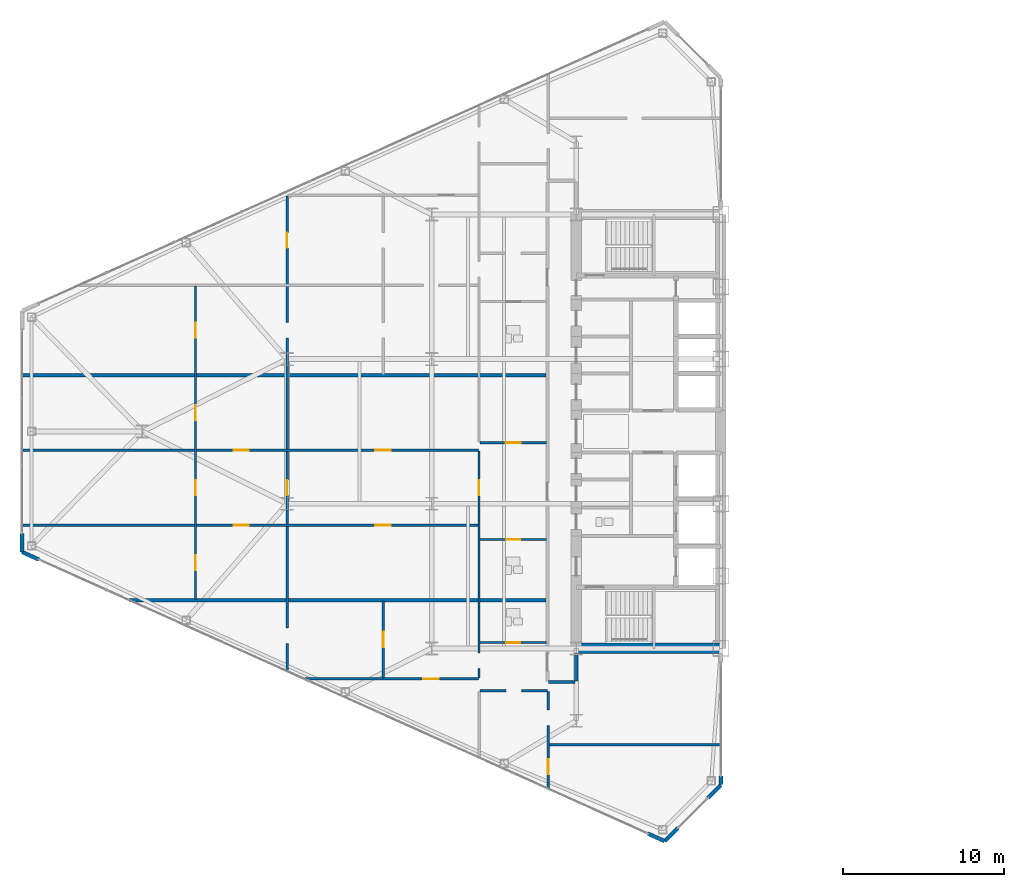
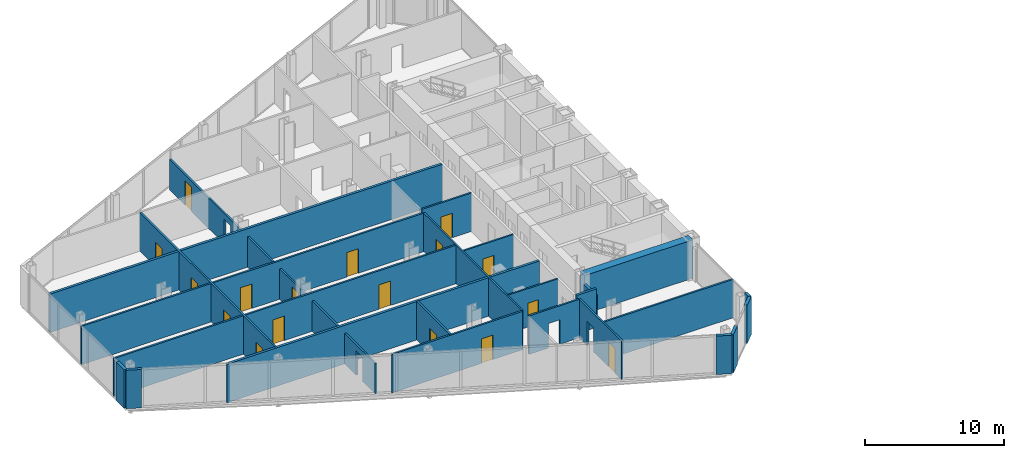
# One storey, part 19 of 27: 24 walls, 17 doors, 22 openings.
"""IFC4 building model written with IfcOpenShell, lengths in metres."""

from ifc_helpers import new_model, si_unit, direction, frame, frame_2d, origin, place, context, subcontext, project, spatial, rectangle, extrude, source, transform, mapped, material, layer, layer_set, type_object, type_shapes, element, fill, save


model = new_model("IFC4")

# Units and contexts
model_context = context("Model", 3, precision=1e-05, world=origin(), true_north=direction((0.0, 1.0)))
body_context = subcontext(model_context, "Body", "Model", "MODEL_VIEW")
ifc_project = project(units=[si_unit("LENGTHUNIT", "METRE"), si_unit("AREAUNIT", "SQUARE_METRE"), si_unit("VOLUMEUNIT", "CUBIC_METRE"), si_unit("PLANEANGLEUNIT", "RADIAN"), si_unit("MASSUNIT", "GRAM", prefix="KILO")], contexts=[model_context])

# Site, building, storey
site_placement = place(None, origin())
site = spatial("IfcSite", under=ifc_project, at=site_placement, CompositionType="ELEMENT")
building_placement = place(site_placement, origin())
building = spatial("IfcBuilding", under=site, at=building_placement, Name="Seokmaru Belvedere", CompositionType="ELEMENT")
storey_placement = place(building_placement, frame((0.0, 0.0, 103.199951171875)))
storey = spatial("IfcBuildingStorey", under=building, at=storey_placement, Name="L27", CompositionType="ELEMENT", Elevation=103.199951171875)

# Wall
ifc_material_1 = material(Name="Fire-Rated Gypsum Shaftwall")
ifc_layer_1 = layer(ifc_material_1, 0.14990234375)
ifc_layer_set_1 = layer_set([ifc_layer_1], Name="Fire-Rated Gypsum Shaftwall")
wall_type_1 = type_object("IfcWallType", Name="Apartment Fire-Acoustic Room Partition 150", PredefinedType="PARTITIONING", material=ifc_layer_set_1)
wall_1_placement = place(storey_placement, frame((-38.199951171875, -19.5, 0.0), z_axis=(0.0, 0.0, 1.0), x_axis=(1.0, 0.0, 0.0)))
element("IfcWall", 1, at=wall_1_placement, inside=storey, type_object=wall_type_1, Name="L27 Interior Partition 001", PredefinedType="PARTITIONING", context=body_context, shape_type="SweptSolid", body=[
    extrude(rectangle(XDim=10.73486328125, YDim=0.14990234375, at=frame_2d((5.367431640625, 0.0))), origin(), (0.0, 0.0, 1.0), 3.380126953125),
])

# Wall, opening
wall_2_placement = place(storey_placement, frame((-42.5, -16.139892578125, 0.0), z_axis=(0.0, 0.0, 1.0), x_axis=(1.0, 0.0, 0.0)))
wall_2 = element("IfcWall", 2, at=wall_2_placement, inside=storey, type_object=wall_type_1, Name="L27 Interior Partition 002", PredefinedType="PARTITIONING", context=body_context, shape_type="SweptSolid", body=[
    extrude(rectangle(XDim=4.199951171875, YDim=0.14990234375, at=frame_2d((2.10009765625, 0.0))), origin(), (0.0, 0.0, 1.0), 3.380126953125),
])
opening_1_placement = place(wall_2_placement, frame((1.625, 0.0, 0.0)))
element("IfcOpeningElement", 3, at=opening_1_placement, cuts=wall_2, Name="L27 Cased Opening 003", PredefinedType="OPENING", context=body_context, shape_type="SweptSolid", body=[
    extrude(rectangle(XDim=0.949951171875, YDim=2.14990234375, at=frame_2d((0.47509765625, 1.074951171875))), frame((0.0, 0.0849609375, 0.0), z_axis=(0.0, -1.0, 0.0), x_axis=(1.0, 0.0, 0.0)), (0.0, 0.0, 1.0), 0.169921875),
])

# Wall, opening, door
wall_3_placement = place(storey_placement, frame((-53.47705078125, -15.39990234375, 0.0), z_axis=(0.0, 0.0, 1.0), x_axis=(1.0, 0.0, 0.0)))
wall_3 = element("IfcWall", 4, at=wall_3_placement, inside=storey, type_object=wall_type_1, Name="L27 Interior Partition 005", PredefinedType="PARTITIONING", context=body_context, shape_type="SweptSolid", body=[
    extrude(rectangle(XDim=10.876953125, YDim=0.14990234375, at=frame_2d((5.4384765625, 0.0))), origin(), (0.0, 0.0, 1.0), 3.380126953125),
])
opening_2_placement = place(wall_3_placement, frame((7.464599609375, 0.0, 0.0)))
opening_2 = element("IfcOpeningElement", 5, at=opening_2_placement, cuts=wall_3, Name="Opening D05", PredefinedType="OPENING", context=body_context, shape_type="SweptSolid", body=[
    extrude(rectangle(XDim=0.949951171875, YDim=2.14990234375, at=frame_2d((0.47509765625, 1.074951171875))), frame((0.0, 0.0849609375, 0.0), z_axis=(0.0, -1.0, 0.0), x_axis=(1.0, 0.0, 0.0)), (0.0, 0.0, 1.0), 0.169921875),
])
ifc_material_2 = material(Name="Engineered White Oak Timber", Category="wood")
door_type_1 = type_object("IfcDoorType", Name="Apartment Interior Fire-Rated Oak Door 950x2150", OperationType="NOTDEFINED", PredefinedType="DOOR", material=ifc_material_2)
shared_shape_1 = source(origin(), body_context, "Body", "SweptSolid", [
    extrude(rectangle(XDim=0.949951171875, YDim=2.14990234375, at=frame_2d((0.47509765625, 1.074951171875))), frame((0.0, 0.02490234375, 0.0), z_axis=(0.0, -1.0, 0.0), x_axis=(1.0, 0.0, 0.0)), (0.0, 0.0, 1.0), 0.050048828125),
])
type_shapes(door_type_1, [shared_shape_1])
door_1_placement = place(opening_2_placement, origin())
door_1 = element("IfcDoor", 6, at=door_1_placement, inside=storey, type_object=door_type_1, Name="L27 Interior Door 005", OperationType="SINGLE_SWING_LEFT", OverallHeight=2.14990234375, OverallWidth=0.949951171875, PredefinedType="DOOR", context=body_context, shape_type="MappedRepresentation", body=[
    mapped(shared_shape_1, transform((0.0, 0.0, 0.0), scale=1.0)),
])
fill(opening_2, door_1)

# Wall, openings, doors
wall_4_placement = place(storey_placement, frame((-71.034912109375, -5.830078125, 0.0), z_axis=(0.0, 0.0, 1.0), x_axis=(1.0, 0.0, 0.0)))
wall_4 = element("IfcWall", 7, at=wall_4_placement, inside=storey, type_object=wall_type_1, Name="L27 Interior Partition 012", PredefinedType="PARTITIONING", context=body_context, shape_type="SweptSolid", body=[
    extrude(rectangle(XDim=28.434814453125, YDim=0.14990234375, at=frame_2d((14.21728515625, 0.0))), origin(), (0.0, 0.0, 1.0), 3.380126953125),
])
opening_3_placement = place(wall_4_placement, frame((22.034912109375, 0.0, 0.0)))
opening_3 = element("IfcOpeningElement", 8, at=opening_3_placement, cuts=wall_4, Name="Opening D05", PredefinedType="OPENING", context=body_context, shape_type="SweptSolid", body=[
    extrude(rectangle(XDim=0.949951171875, YDim=2.14990234375, at=frame_2d((0.47509765625, 1.074951171875))), frame((0.0, 0.0849609375, 0.0), z_axis=(0.0, -1.0, 0.0), x_axis=(1.0, 0.0, 0.0)), (0.0, 0.0, 1.0), 0.169921875),
])
opening_4_placement = place(wall_4_placement, frame((13.2099609375, 0.0, 0.0)))
opening_4 = element("IfcOpeningElement", 9, at=opening_4_placement, cuts=wall_4, Name="Opening D05", PredefinedType="OPENING", context=body_context, shape_type="SweptSolid", body=[
    extrude(rectangle(XDim=0.949951171875, YDim=2.14990234375, at=frame_2d((0.47509765625, 1.074951171875))), frame((0.0, 0.0849609375, 0.0), z_axis=(0.0, -1.0, 0.0), x_axis=(1.0, 0.0, 0.0)), (0.0, 0.0, 1.0), 0.169921875),
])
door_2_placement = place(opening_3_placement, origin())
door_2 = element("IfcDoor", 10, at=door_2_placement, inside=storey, type_object=door_type_1, Name="L27 Interior Door 015", OperationType="SINGLE_SWING_RIGHT", OverallHeight=2.14990234375, OverallWidth=0.949951171875, PredefinedType="DOOR", context=body_context, shape_type="MappedRepresentation", body=[
    mapped(shared_shape_1, transform((0.0, 0.0, 0.0), scale=1.0)),
])
fill(opening_3, door_2)
door_3_placement = place(opening_4_placement, origin())
door_3 = element("IfcDoor", 11, at=door_3_placement, inside=storey, type_object=door_type_1, Name="L27 Interior Door 017", OperationType="SINGLE_SWING_LEFT", OverallHeight=2.14990234375, OverallWidth=0.949951171875, PredefinedType="DOOR", context=body_context, shape_type="MappedRepresentation", body=[
    mapped(shared_shape_1, transform((0.0, 0.0, 0.0), scale=1.0)),
])
fill(opening_4, door_3)

wall_5_placement = place(storey_placement, frame((-71.034912109375, -1.169921875, 0.0), z_axis=(0.0, 0.0, 1.0), x_axis=(1.0, 0.0, 0.0)))
wall_5 = element("IfcWall", 12, at=wall_5_placement, inside=storey, type_object=wall_type_1, Name="L27 Interior Partition 015", PredefinedType="PARTITIONING", context=body_context, shape_type="SweptSolid", body=[
    extrude(rectangle(XDim=28.434814453125, YDim=0.14990234375, at=frame_2d((14.21728515625, 0.0))), origin(), (0.0, 0.0, 1.0), 3.380126953125),
])
opening_5_placement = place(wall_5_placement, frame((22.034912109375, 0.0, 0.0)))
opening_5 = element("IfcOpeningElement", 13, at=opening_5_placement, cuts=wall_5, Name="Opening D05", PredefinedType="OPENING", context=body_context, shape_type="SweptSolid", body=[
    extrude(rectangle(XDim=0.949951171875, YDim=2.14990234375, at=frame_2d((0.47509765625, 1.074951171875))), frame((0.0, 0.0849609375, 0.0), z_axis=(0.0, -1.0, 0.0), x_axis=(1.0, 0.0, 0.0)), (0.0, 0.0, 1.0), 0.169921875),
])
opening_6_placement = place(wall_5_placement, frame((13.2099609375, 0.0, 0.0)))
opening_6 = element("IfcOpeningElement", 14, at=opening_6_placement, cuts=wall_5, Name="Opening D05", PredefinedType="OPENING", context=body_context, shape_type="SweptSolid", body=[
    extrude(rectangle(XDim=0.949951171875, YDim=2.14990234375, at=frame_2d((0.47509765625, 1.074951171875))), frame((0.0, 0.0849609375, 0.0), z_axis=(0.0, -1.0, 0.0), x_axis=(1.0, 0.0, 0.0)), (0.0, 0.0, 1.0), 0.169921875),
])
door_4_placement = place(opening_5_placement, origin())
door_4 = element("IfcDoor", 15, at=door_4_placement, inside=storey, type_object=door_type_1, Name="L27 Interior Door 016", OperationType="SINGLE_SWING_LEFT", OverallHeight=2.14990234375, OverallWidth=0.949951171875, PredefinedType="DOOR", context=body_context, shape_type="MappedRepresentation", body=[
    mapped(shared_shape_1, transform((0.0, 0.0, 0.0), scale=1.0)),
])
fill(opening_5, door_4)
door_5_placement = place(opening_6_placement, origin())
door_5 = element("IfcDoor", 16, at=door_5_placement, inside=storey, type_object=door_type_1, Name="L27 Interior Door 020", OperationType="SINGLE_SWING_LEFT", OverallHeight=2.14990234375, OverallWidth=0.949951171875, PredefinedType="DOOR", context=body_context, shape_type="MappedRepresentation", body=[
    mapped(shared_shape_1, transform((0.0, 0.0, 0.0), scale=1.0)),
])
fill(opening_6, door_5)

# Wall, opening, door
wall_6_placement = place(storey_placement, frame((-42.5, -0.699951171875, 0.0), z_axis=(0.0, 0.0, 1.0), x_axis=(1.0, 0.0, 0.0)))
wall_6 = element("IfcWall", 17, at=wall_6_placement, inside=storey, type_object=wall_type_1, Name="L27 Interior Partition 016", PredefinedType="PARTITIONING", context=body_context, shape_type="SweptSolid", body=[
    extrude(rectangle(XDim=4.14990234375, YDim=0.14990234375, at=frame_2d((2.074951171875, 0.0))), origin(), (0.0, 0.0, 1.0), 3.380126953125),
])
opening_7_placement = place(wall_6_placement, frame((1.60009765625, 0.0, 0.0)))
opening_7 = element("IfcOpeningElement", 18, at=opening_7_placement, cuts=wall_6, Name="Opening D05", PredefinedType="OPENING", context=body_context, shape_type="SweptSolid", body=[
    extrude(rectangle(XDim=0.949951171875, YDim=2.14990234375, at=frame_2d((0.47509765625, 1.074951171875))), frame((0.0, 0.0849609375, 0.0), z_axis=(0.0, -1.0, 0.0), x_axis=(1.0, 0.0, 0.0)), (0.0, 0.0, 1.0), 0.169921875),
])
door_6_placement = place(opening_7_placement, origin())
door_6 = element("IfcDoor", 19, at=door_6_placement, inside=storey, type_object=door_type_1, Name="L27 Interior Door 012", OperationType="SINGLE_SWING_LEFT", OverallHeight=2.14990234375, OverallWidth=0.949951171875, PredefinedType="DOOR", context=body_context, shape_type="MappedRepresentation", body=[
    mapped(shared_shape_1, transform((0.0, 0.0, 0.0), scale=1.0)),
])
fill(opening_7, door_6)

# Wall, openings, doors
wall_7_placement = place(storey_placement, frame((-60.199951171875, -10.449951171875, 0.0), z_axis=(0.0, 0.0, 1.0), x_axis=(0.0, 1.0, 0.0)))
wall_7 = element("IfcWall", 20, at=wall_7_placement, inside=storey, type_object=wall_type_1, Name="L27 Interior Partition 033", PredefinedType="PARTITIONING", context=body_context, shape_type="SweptSolid", body=[
    extrude(rectangle(XDim=19.5009765625, YDim=0.14990234375, at=frame_2d((9.75048828125, 0.0))), origin(), (0.0, 0.0, 1.0), 3.380126953125),
])
opening_8_placement = place(wall_7_placement, frame((1.808349609375, 0.0, 0.0)))
opening_8 = element("IfcOpeningElement", 21, at=opening_8_placement, cuts=wall_7, Name="Opening D05", PredefinedType="OPENING", context=body_context, shape_type="SweptSolid", body=[
    extrude(rectangle(XDim=0.949951171875, YDim=2.14990234375, at=frame_2d((0.47509765625, 1.074951171875))), frame((0.0, 0.0849609375, 0.0), z_axis=(0.0, -1.0, 0.0), x_axis=(1.0, 0.0, 0.0)), (0.0, 0.0, 1.0), 0.169921875),
])
opening_9_placement = place(wall_7_placement, frame((6.47509765625, 0.0, 0.0)))
opening_9 = element("IfcOpeningElement", 22, at=opening_9_placement, cuts=wall_7, Name="Opening D05", PredefinedType="OPENING", context=body_context, shape_type="SweptSolid", body=[
    extrude(rectangle(XDim=0.949951171875, YDim=2.14990234375, at=frame_2d((0.47509765625, 1.074951171875))), frame((0.0, 0.0849609375, 0.0), z_axis=(0.0, -1.0, 0.0), x_axis=(1.0, 0.0, 0.0)), (0.0, 0.0, 1.0), 0.169921875),
])
opening_10_placement = place(wall_7_placement, frame((11.1416015625, 0.0, 0.0)))
opening_10 = element("IfcOpeningElement", 23, at=opening_10_placement, cuts=wall_7, Name="Opening D05", PredefinedType="OPENING", context=body_context, shape_type="SweptSolid", body=[
    extrude(rectangle(XDim=0.949951171875, YDim=2.14990234375, at=frame_2d((0.47509765625, 1.074951171875))), frame((0.0, 0.0849609375, 0.0), z_axis=(0.0, -1.0, 0.0), x_axis=(1.0, 0.0, 0.0)), (0.0, 0.0, 1.0), 0.169921875),
])
opening_11_placement = place(wall_7_placement, frame((16.275390625, 0.0, 0.0)))
opening_11 = element("IfcOpeningElement", 24, at=opening_11_placement, cuts=wall_7, Name="Opening D05", PredefinedType="OPENING", context=body_context, shape_type="SweptSolid", body=[
    extrude(rectangle(XDim=0.949951171875, YDim=2.14990234375, at=frame_2d((0.47509765625, 1.074951171875))), frame((0.0, 0.0849609375, 0.0), z_axis=(0.0, -1.0, 0.0), x_axis=(1.0, 0.0, 0.0)), (0.0, 0.0, 1.0), 0.169921875),
])
door_7_placement = place(opening_8_placement, origin())
door_7 = element("IfcDoor", 25, at=door_7_placement, inside=storey, type_object=door_type_1, Name="L27 Interior Door 018", OperationType="SINGLE_SWING_RIGHT", OverallHeight=2.14990234375, OverallWidth=0.949951171875, PredefinedType="DOOR", context=body_context, shape_type="MappedRepresentation", body=[
    mapped(shared_shape_1, transform((0.0, 0.0, 0.0), scale=1.0)),
])
fill(opening_8, door_7)
door_8_placement = place(opening_9_placement, origin())
door_8 = element("IfcDoor", 26, at=door_8_placement, inside=storey, type_object=door_type_1, Name="L27 Interior Door 019", OperationType="SINGLE_SWING_RIGHT", OverallHeight=2.14990234375, OverallWidth=0.949951171875, PredefinedType="DOOR", context=body_context, shape_type="MappedRepresentation", body=[
    mapped(shared_shape_1, transform((0.0, 0.0, 0.0), scale=1.0)),
])
fill(opening_9, door_8)
door_9_placement = place(opening_10_placement, origin())
door_9 = element("IfcDoor", 27, at=door_9_placement, inside=storey, type_object=door_type_1, Name="L27 Interior Door 021", OperationType="SINGLE_SWING_RIGHT", OverallHeight=2.14990234375, OverallWidth=0.949951171875, PredefinedType="DOOR", context=body_context, shape_type="MappedRepresentation", body=[
    mapped(shared_shape_1, transform((0.0, 0.0, 0.0), scale=1.0)),
])
fill(opening_10, door_9)
door_10_placement = place(opening_11_placement, origin())
door_10 = element("IfcDoor", 28, at=door_10_placement, inside=storey, type_object=door_type_1, Name="L27 Interior Door 032", OperationType="SINGLE_SWING_RIGHT", OverallHeight=2.14990234375, OverallWidth=0.949951171875, PredefinedType="DOOR", context=body_context, shape_type="MappedRepresentation", body=[
    mapped(shared_shape_1, transform((0.0, 0.0, 0.0), scale=1.0)),
])
fill(opening_11, door_10)

wall_8_placement = place(storey_placement, frame((-54.5, -14.9599609375, 0.0), z_axis=(0.0, 0.0, 1.0), x_axis=(0.0, 1.0, 0.0)))
wall_8 = element("IfcWall", 29, at=wall_8_placement, inside=storey, type_object=wall_type_1, Name="L27 Interior Partition 034", PredefinedType="PARTITIONING", context=body_context, shape_type="SweptSolid", body=[
    extrude(rectangle(XDim=29.612060546875, YDim=0.14990234375, at=frame_2d((14.80615234375, 0.0))), origin(), (0.0, 0.0, 1.0), 2.679931640625),
])
opening_12_placement = place(wall_8_placement, frame((1.7724609375, 0.0, 0.0)))
element("IfcOpeningElement", 30, at=opening_12_placement, cuts=wall_8, Name="L27 Cased Opening 009", PredefinedType="OPENING", context=body_context, shape_type="SweptSolid", body=[
    extrude(rectangle(XDim=0.949951171875, YDim=2.14990234375, at=frame_2d((0.47509765625, 1.074951171875))), frame((0.0, 0.0849609375, 0.0), z_axis=(0.0, -1.0, 0.0), x_axis=(1.0, 0.0, 0.0)), (0.0, 0.0, 1.0), 0.169921875),
])
opening_13_placement = place(wall_8_placement, frame((10.985107421875, 0.0, 0.0)))
opening_13 = element("IfcOpeningElement", 31, at=opening_13_placement, cuts=wall_8, Name="Opening D05", PredefinedType="OPENING", context=body_context, shape_type="SweptSolid", body=[
    extrude(rectangle(XDim=0.949951171875, YDim=2.14990234375, at=frame_2d((0.47509765625, 1.074951171875))), frame((0.0, 0.0849609375, 0.0), z_axis=(0.0, -1.0, 0.0), x_axis=(1.0, 0.0, 0.0)), (0.0, 0.0, 1.0), 0.169921875),
])
opening_14_placement = place(wall_8_placement, frame((26.38623046875, 0.0, 0.0)))
opening_14 = element("IfcOpeningElement", 32, at=opening_14_placement, cuts=wall_8, Name="Opening D05", PredefinedType="OPENING", context=body_context, shape_type="SweptSolid", body=[
    extrude(rectangle(XDim=0.949951171875, YDim=2.14990234375, at=frame_2d((0.47509765625, 1.074951171875))), frame((0.0, 0.0849609375, 0.0), z_axis=(0.0, -1.0, 0.0), x_axis=(1.0, 0.0, 0.0)), (0.0, 0.0, 1.0), 0.169921875),
])
opening_15_placement = place(wall_8_placement, frame((20.785400390625, 0.0, 0.0)))
element("IfcOpeningElement", 33, at=opening_15_placement, cuts=wall_8, Name="L27 Cased Opening 031", PredefinedType="OPENING", context=body_context, shape_type="SweptSolid", body=[
    extrude(rectangle(XDim=0.949951171875, YDim=2.14990234375, at=frame_2d((0.47509765625, 1.074951171875))), frame((0.0, 0.0849609375, 0.0), z_axis=(0.0, -1.0, 0.0), x_axis=(1.0, 0.0, 0.0)), (0.0, 0.0, 1.0), 0.169921875),
])
door_11_placement = place(opening_13_placement, origin())
door_11 = element("IfcDoor", 34, at=door_11_placement, inside=storey, type_object=door_type_1, Name="L27 Interior Door 014", OperationType="SINGLE_SWING_LEFT", OverallHeight=2.14990234375, OverallWidth=0.949951171875, PredefinedType="DOOR", context=body_context, shape_type="MappedRepresentation", body=[
    mapped(shared_shape_1, transform((0.0, 0.0, 0.0), scale=1.0)),
])
fill(opening_13, door_11)
door_12_placement = place(opening_14_placement, origin())
door_12 = element("IfcDoor", 35, at=door_12_placement, inside=storey, type_object=door_type_1, Name="L27 Interior Door 029", OperationType="SINGLE_SWING_RIGHT", OverallHeight=2.14990234375, OverallWidth=0.949951171875, PredefinedType="DOOR", context=body_context, shape_type="MappedRepresentation", body=[
    mapped(shared_shape_1, transform((0.0, 0.0, 0.0), scale=1.0)),
])
fill(opening_14, door_12)

# Wall, opening, door
wall_9_placement = place(storey_placement, frame((-48.52001953125, -15.35107421875, 0.0), z_axis=(0.0, 0.0, 1.0), x_axis=(0.0, 1.0, 0.0)))
wall_9 = element("IfcWall", 36, at=wall_9_placement, inside=storey, type_object=wall_type_1, Name="L27 Interior Partition 035", PredefinedType="PARTITIONING", context=body_context, shape_type="SweptSolid", body=[
    extrude(rectangle(XDim=4.801025390625, YDim=0.14990234375, at=frame_2d((2.400390625, 0.0))), origin(), (0.0, 0.0, 1.0), 3.380126953125),
])
opening_16_placement = place(wall_9_placement, frame((1.92529296875, 0.0, 0.0)))
opening_16 = element("IfcOpeningElement", 37, at=opening_16_placement, cuts=wall_9, Name="Opening D05", PredefinedType="OPENING", context=body_context, shape_type="SweptSolid", body=[
    extrude(rectangle(XDim=0.949951171875, YDim=2.14990234375, at=frame_2d((0.47509765625, 1.074951171875))), frame((0.0, 0.0849609375, 0.0), z_axis=(0.0, -1.0, 0.0), x_axis=(1.0, 0.0, 0.0)), (0.0, 0.0, 1.0), 0.169921875),
])
door_13_placement = place(opening_16_placement, origin())
door_13 = element("IfcDoor", 38, at=door_13_placement, inside=storey, type_object=door_type_1, Name="L27 Interior Door 006", OperationType="SINGLE_SWING_RIGHT", OverallHeight=2.14990234375, OverallWidth=0.949951171875, PredefinedType="DOOR", context=body_context, shape_type="MappedRepresentation", body=[
    mapped(shared_shape_1, transform((0.0, 0.0, 0.0), scale=1.0)),
])
fill(opening_16, door_13)

# Wall, openings, door
wall_10_placement = place(storey_placement, frame((-38.25, -22.27294921875, 0.0), z_axis=(0.0, 0.0, 1.0), x_axis=(0.0, 1.0, 0.0)))
wall_10 = element("IfcWall", 39, at=wall_10_placement, inside=storey, type_object=wall_type_1, Name="L27 Interior Partition 041", PredefinedType="PARTITIONING", context=body_context, shape_type="SweptSolid", body=[
    extrude(rectangle(XDim=6.077880859375, YDim=0.14990234375, at=frame_2d((3.0390625, 0.0))), origin(), (0.0, 0.0, 1.0), 3.380126953125),
])
opening_17_placement = place(wall_10_placement, frame((0.92919921875, 0.0, 0.0)))
opening_17 = element("IfcOpeningElement", 40, at=opening_17_placement, cuts=wall_10, Name="Opening D05", PredefinedType="OPENING", context=body_context, shape_type="SweptSolid", body=[
    extrude(rectangle(XDim=0.949951171875, YDim=2.14990234375, at=frame_2d((0.47509765625, 1.074951171875))), frame((0.0, 0.0849609375, 0.0), z_axis=(0.0, -1.0, 0.0), x_axis=(1.0, 0.0, 0.0)), (0.0, 0.0, 1.0), 0.169921875),
])
opening_18_placement = place(wall_10_placement, frame((3.9755859375, 0.0, 0.0)))
element("IfcOpeningElement", 41, at=opening_18_placement, cuts=wall_10, Name="L27 Cased Opening 008", PredefinedType="OPENING", context=body_context, shape_type="SweptSolid", body=[
    extrude(rectangle(XDim=0.949951171875, YDim=2.14990234375, at=frame_2d((0.47509765625, 1.074951171875))), frame((0.0, 0.0849609375, 0.0), z_axis=(0.0, -1.0, 0.0), x_axis=(1.0, 0.0, 0.0)), (0.0, 0.0, 1.0), 0.169921875),
])
door_14_placement = place(opening_17_placement, origin())
door_14 = element("IfcDoor", 42, at=door_14_placement, inside=storey, type_object=door_type_1, Name="L27 Interior Door 007", OperationType="SINGLE_SWING_RIGHT", OverallHeight=2.14990234375, OverallWidth=0.949951171875, PredefinedType="DOOR", context=body_context, shape_type="MappedRepresentation", body=[
    mapped(shared_shape_1, transform((0.0, 0.0, 0.0), scale=1.0)),
])
fill(opening_17, door_14)

# Walls
ifc_layer_2 = layer(ifc_material_1, 0.199951171875)
ifc_layer_set_2 = layer_set([ifc_layer_2], Name="Fire-Rated Gypsum Shaftwall")
wall_type_2 = type_object("IfcWallType", Name="Inter-Tenancy Fire Compartment Partition 200", PredefinedType="PARTITIONING", material=ifc_layer_set_2)
wall_11_placement = place(storey_placement, frame((-38.215087890625, -15.60009765625, 0.0), z_axis=(0.0, 0.0, 1.0), x_axis=(1.0, 0.0, 0.0)))
element("IfcWall", 43, at=wall_11_placement, inside=storey, type_object=wall_type_2, Name="L27 Interior Partition 003", PredefinedType="PARTITIONING", context=body_context, shape_type="SweptSolid", body=[
    extrude(rectangle(XDim=1.630126953125, YDim=0.199951171875, at=frame_2d((0.81494140625, 0.0))), origin(), (0.0, 0.0, 1.0), 3.380126953125),
])
wall_12_placement = place(storey_placement, frame((-64.345947265625, -10.5, 0.0), z_axis=(0.0, 0.0, 1.0), x_axis=(1.0, 0.0, 0.0)))
element("IfcWall", 44, at=wall_12_placement, inside=storey, type_object=wall_type_2, Name="L27 Interior Partition 008", PredefinedType="PARTITIONING", context=body_context, shape_type="SweptSolid", body=[
    extrude(rectangle(XDim=25.966064453125, YDim=0.199951171875, at=frame_2d((12.98291015625, 0.0))), origin(), (0.0, 0.0, 1.0), 3.380126953125),
])
wall_13_placement = place(storey_placement, frame((-71.0048828125, 3.5, 0.0), z_axis=(0.0, 0.0, 1.0), x_axis=(1.0, 0.0, 0.0)))
element("IfcWall", 45, at=wall_13_placement, inside=storey, type_object=wall_type_2, Name="L27 Interior Partition 018", PredefinedType="PARTITIONING", context=body_context, shape_type="SweptSolid", body=[
    extrude(rectangle(XDim=32.625, YDim=0.199951171875, at=frame_2d((16.3125, 0.0))), origin(), (0.0, 0.0, 1.0), 3.380126953125),
])
wall_14_placement = place(storey_placement, frame((-36.5, -15.514892578125, 0.0), z_axis=(0.0, 0.0, 1.0), x_axis=(0.0, 1.0, 0.0)))
element("IfcWall", 46, at=wall_14_placement, inside=storey, type_object=wall_type_2, Name="L27 Interior Partition 043", PredefinedType="PARTITIONING", context=body_context, shape_type="SweptSolid", body=[
    extrude(rectangle(XDim=1.684814453125, YDim=0.199951171875, at=frame_2d((0.84228515625, 0.0))), origin(), (0.0, 0.0, 1.0), 2.679931640625),
])
ifc_material_3 = material(Name="Concrete C60 (60 MPa)", Category="concrete")
ifc_layer_3 = layer(ifc_material_3, 0.64990234375)
ifc_layer_set_3 = layer_set([ifc_layer_3], Name="Concrete C60 (60 MPa)")
wall_type_3 = type_object("IfcWallType", Name="Mid-Low Reinforced Concrete Core Wall 650", PredefinedType="SHEAR", material=ifc_layer_set_3)
wall_15_placement = place(storey_placement, frame((-36.5, -13.5, 0.0), z_axis=(0.0, 0.0, 1.0), x_axis=(1.0, 0.0, 0.0)))
element("IfcWall", 47, at=wall_15_placement, inside=storey, type_object=wall_type_3, Name="L27 West South Core Wall", PredefinedType="SHEAR", context=body_context, shape_type="SweptSolid", body=[
    extrude(rectangle(XDim=9.0, YDim=0.64990234375, at=frame_2d((4.5, 0.0))), origin(), (0.0, 0.0, 1.0), 3.380126953125),
])

# Wall, opening, door
ifc_layer_4 = layer(ifc_material_1, 0.1298828125)
ifc_layer_set_4 = layer_set([ifc_layer_4], Name="Fire-Rated Gypsum Shaftwall")
wall_type_4 = type_object("IfcWallType", Name="Moisture-Resistant Fire-Rated Bathroom Partition 130", PredefinedType="PARTITIONING", material=ifc_layer_set_4)
wall_16_placement = place(storey_placement, frame((-42.5, -13.139892578125, 0.0), z_axis=(0.0, 0.0, 1.0), x_axis=(1.0, 0.0, 0.0)))
wall_16 = element("IfcWall", 48, at=wall_16_placement, inside=storey, type_object=wall_type_4, Name="L27 Interior Partition 006", PredefinedType="PARTITIONING", context=body_context, shape_type="SweptSolid", body=[
    extrude(rectangle(XDim=4.14990234375, YDim=0.1298828125, at=frame_2d((2.074951171875, 0.0))), origin(), (0.0, 0.0, 1.0), 3.380126953125),
])
opening_19_placement = place(wall_16_placement, frame((1.635009765625, 0.0, 0.0)))
opening_19 = element("IfcOpeningElement", 49, at=opening_19_placement, cuts=wall_16, Name="Opening D06", PredefinedType="OPENING", context=body_context, shape_type="SweptSolid", body=[
    extrude(rectangle(XDim=0.8798828125, YDim=2.10009765625, at=frame_2d((0.43994140625, 1.050048828125))), frame((0.0, 0.074951171875, 0.0), z_axis=(0.0, -1.0, 0.0), x_axis=(1.0, 0.0, 0.0)), (0.0, 0.0, 1.0), 0.14990234375),
])
door_type_2 = type_object("IfcDoorType", Name="Bathroom and Restroom Fire-Rated Door 880x2100", OperationType="NOTDEFINED", PredefinedType="DOOR", material=ifc_material_2)
shared_shape_2 = source(origin(), body_context, "Body", "SweptSolid", [
    extrude(rectangle(XDim=0.8798828125, YDim=2.10009765625, at=frame_2d((0.43994140625, 1.050048828125))), frame((0.0, 0.02490234375, 0.0), z_axis=(0.0, -1.0, 0.0), x_axis=(1.0, 0.0, 0.0)), (0.0, 0.0, 1.0), 0.050048828125),
])
type_shapes(door_type_2, [shared_shape_2])
door_15_placement = place(opening_19_placement, origin())
door_15 = element("IfcDoor", 50, at=door_15_placement, inside=storey, type_object=door_type_2, Name="L27 Interior Door 002", OperationType="SINGLE_SWING_LEFT", OverallHeight=2.10009765625, OverallWidth=0.8798828125, PredefinedType="DOOR", context=body_context, shape_type="MappedRepresentation", body=[
    mapped(shared_shape_2, transform((0.0, 0.0, 0.0), scale=1.0)),
])
fill(opening_19, door_15)

wall_17_placement = place(storey_placement, frame((-42.5, -6.719970703125, 0.0), z_axis=(0.0, 0.0, 1.0), x_axis=(1.0, 0.0, 0.0)))
wall_17 = element("IfcWall", 51, at=wall_17_placement, inside=storey, type_object=wall_type_4, Name="L27 Interior Partition 010", PredefinedType="PARTITIONING", context=body_context, shape_type="SweptSolid", body=[
    extrude(rectangle(XDim=4.14990234375, YDim=0.1298828125, at=frame_2d((2.074951171875, 0.0))), origin(), (0.0, 0.0, 1.0), 3.380126953125),
])
opening_20_placement = place(wall_17_placement, frame((1.635009765625, 0.0, 0.0)))
opening_20 = element("IfcOpeningElement", 52, at=opening_20_placement, cuts=wall_17, Name="Opening D06", PredefinedType="OPENING", context=body_context, shape_type="SweptSolid", body=[
    extrude(rectangle(XDim=0.8798828125, YDim=2.10009765625, at=frame_2d((0.43994140625, 1.050048828125))), frame((0.0, 0.074951171875, 0.0), z_axis=(0.0, -1.0, 0.0), x_axis=(1.0, 0.0, 0.0)), (0.0, 0.0, 1.0), 0.14990234375),
])
door_16_placement = place(opening_20_placement, origin())
door_16 = element("IfcDoor", 53, at=door_16_placement, inside=storey, type_object=door_type_2, Name="L27 Interior Door 011", OperationType="SINGLE_SWING_LEFT", OverallHeight=2.10009765625, OverallWidth=0.8798828125, PredefinedType="DOOR", context=body_context, shape_type="MappedRepresentation", body=[
    mapped(shared_shape_2, transform((0.0, 0.0, 0.0), scale=1.0)),
])
fill(opening_20, door_16)

# Wall, openings, door
wall_18_placement = place(storey_placement, frame((-42.550048828125, -15.35107421875, 0.0), z_axis=(0.0, 0.0, 1.0), x_axis=(0.0, 1.0, 0.0)))
wall_18 = element("IfcWall", 54, at=wall_18_placement, inside=storey, type_object=wall_type_4, Name="L27 Interior Partition 038", PredefinedType="PARTITIONING", context=body_context, shape_type="SweptSolid", body=[
    extrude(rectangle(XDim=14.134033203125, YDim=0.1298828125, at=frame_2d((7.06689453125, 0.0))), origin(), (0.0, 0.0, 1.0), 3.380126953125),
])
opening_21_placement = place(wall_18_placement, frame((0.602783203125, 0.0, 0.0)))
element("IfcOpeningElement", 55, at=opening_21_placement, cuts=wall_18, Name="L27 Cased Opening 004", PredefinedType="OPENING", context=body_context, shape_type="SweptSolid", body=[
    extrude(rectangle(XDim=0.949951171875, YDim=2.14990234375, at=frame_2d((0.47509765625, 1.074951171875))), frame((0.0, 0.074951171875, 0.0), z_axis=(0.0, -1.0, 0.0), x_axis=(1.0, 0.0, 0.0)), (0.0, 0.0, 1.0), 0.14990234375),
])
opening_22_placement = place(wall_18_placement, frame((11.3759765625, 0.0, 0.0)))
opening_22 = element("IfcOpeningElement", 56, at=opening_22_placement, cuts=wall_18, Name="Opening D05", PredefinedType="OPENING", context=body_context, shape_type="SweptSolid", body=[
    extrude(rectangle(XDim=0.949951171875, YDim=2.14990234375, at=frame_2d((0.47509765625, 1.074951171875))), frame((0.0, 0.074951171875, 0.0), z_axis=(0.0, -1.0, 0.0), x_axis=(1.0, 0.0, 0.0)), (0.0, 0.0, 1.0), 0.14990234375),
])
door_17_placement = place(opening_22_placement, origin())
door_17 = element("IfcDoor", 57, at=door_17_placement, inside=storey, type_object=door_type_1, Name="L27 Interior Door 013", OperationType="SINGLE_SWING_RIGHT", OverallHeight=2.14990234375, OverallWidth=0.949951171875, PredefinedType="DOOR", context=body_context, shape_type="MappedRepresentation", body=[
    mapped(shared_shape_1, transform((0.0, 0.0, 0.0), scale=1.0)),
])
fill(opening_22, door_17)

# Walls
ifc_material_4 = material(Name="Anodised Bronze Aluminium", Category="aluminium")
ifc_layer_5 = layer(ifc_material_4, 0.239990234375)
ifc_layer_set_5 = layer_set([ifc_layer_5], Name="Anodised Bronze Aluminium")
wall_type_5 = type_object("IfcWallType", Name="Tower Corner Spandrel Closure Wall 240", PredefinedType="SOLIDWALL", material=ifc_layer_set_5)
wall_19_placement = place(storey_placement, frame((-27.5, -21.97998046875, 0.0), z_axis=(0.0, 0.0, 1.0), x_axis=(0.0, 1.0, 0.0)))
element("IfcWall", 58, at=wall_19_placement, inside=storey, type_object=wall_type_5, Name="L27 W Spine Closure Pier 1A", PredefinedType="SOLIDWALL", context=body_context, shape_type="SweptSolid", body=[
    extrude(rectangle(XDim=0.550048828125, YDim=0.239990234375, at=frame_2d((0.27490234375, 0.0))), origin(), (0.0, 0.0, 1.0), 3.380126953125),
])
for number, where, z_axis, x_axis, name in (
    (59, (-71.0, -6.35009765625, 0.0), (0.0, 0.0, 1.0), (0.0, -1.0, 0.0), "L27 W Corner Closure Pier 4B"),
    (60, (-70.990966796875, -7.504150390625, 0.0), (0.0, 0.0, 1.0), (0.911929519623, -0.410346866979, 0.0), "L27 W Corner Closure Pier 5A"),
    (61, (-32.048583984375, -25.028076171875, 0.0), (0.0, 0.0, 1.0), (0.911929519623, -0.410346866979, 0.0), "L27 W Corner Closure Pier 5B"),
):
    element("IfcWall", number, at=place(storey_placement, frame(where, z_axis=z_axis, x_axis=x_axis)), inside=storey, type_object=wall_type_5, Name=name, PredefinedType="SOLIDWALL", context=body_context, shape_type="SweptSolid", body=[
        extrude(rectangle(XDim=1.139892578125, YDim=0.239990234375, at=frame_2d((0.56982421875, 0.0))), origin(), (0.0, 0.0, 1.0), 3.380126953125),
    ])
for number, where, z_axis, x_axis, name in (
    (62, (-30.992919921875, -25.492919921875, 0.0), (0.0, 0.0, 1.0), (0.707106781187, 0.707106781187, 0.0), "L27 W Corner Closure Pier 6A"),
    (63, (-28.313232421875, -22.813232421875, 0.0), (0.0, 0.0, 1.0), (0.707106781187, 0.707106781187, 0.0), "L27 W Corner Closure Pier 6B"),
):
    element("IfcWall", number, at=place(storey_placement, frame(where, z_axis=z_axis, x_axis=x_axis)), inside=storey, type_object=wall_type_5, Name=name, PredefinedType="SOLIDWALL", context=body_context, shape_type="SweptSolid", body=[
        extrude(rectangle(XDim=1.14013671875, YDim=0.239990234375, at=frame_2d((0.570068359375, 0.0))), origin(), (0.0, 0.0, 1.0), 3.380126953125),
    ])

save(model, "model.ifc")
